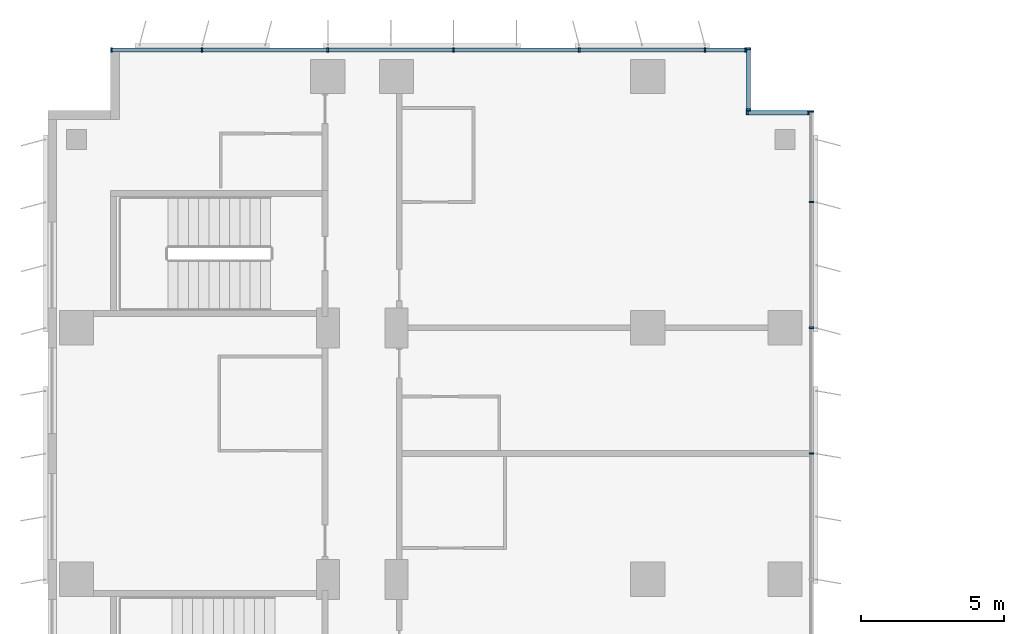
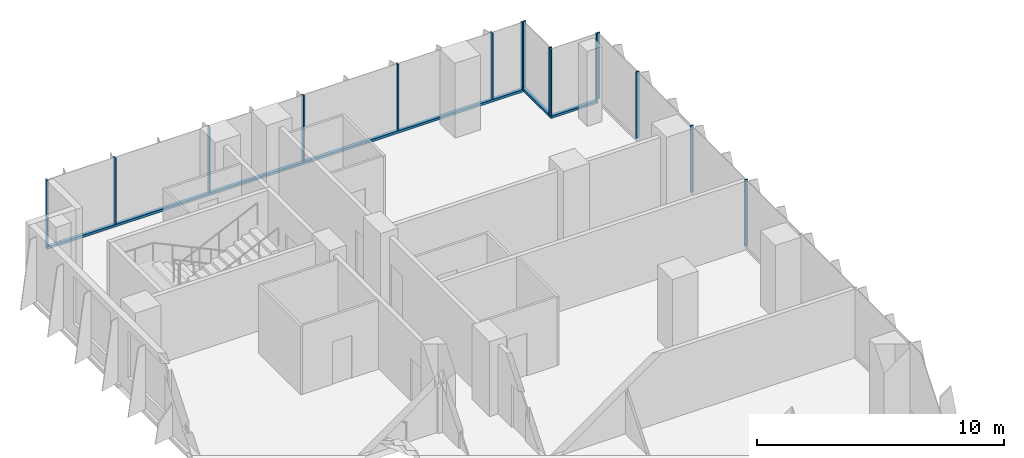
# One storey, part 9 of 22: 18 members, 4 elements without a shape of their own.
"""IFC4 building model written with IfcOpenShell, lengths in metres."""

from ifc_helpers import new_model, si_unit, direction, frame, origin, origin_2d, place, context, subcontext, project, spatial, rectangle, extrude, source, transform, mapped, material, material_profile, profile_set, type_object, element, aggregate, save


model = new_model("IFC4")

# Units and contexts
model_context = context("Model", 3, precision=1e-05, world=origin(), true_north=direction((0.0, 1.0)))
body_context = subcontext(model_context, "Body", "Model", "MODEL_VIEW")
ifc_project = project(units=[si_unit("LENGTHUNIT", "METRE"), si_unit("AREAUNIT", "SQUARE_METRE"), si_unit("VOLUMEUNIT", "CUBIC_METRE"), si_unit("PLANEANGLEUNIT", "RADIAN"), si_unit("MASSUNIT", "GRAM", prefix="KILO")], contexts=[model_context])

# Site, building, storey
site_placement = place(None, origin())
site = spatial("IfcSite", under=ifc_project, at=site_placement, CompositionType="ELEMENT")
building_placement = place(site_placement, origin())
building = spatial("IfcBuilding", under=site, at=building_placement, Name="Kemantara Hotel Tower", CompositionType="ELEMENT")
storey_placement = place(building_placement, frame((0.0, 0.0, 87.10009765625)))
storey = spatial("IfcBuildingStorey", under=building, at=storey_placement, Name="L20", CompositionType="ELEMENT", Elevation=87.10009765625)

# Curtain wall, member
ifc_material_1 = material(Name="Low-E tinted double insulated glass 36 mm", Category="glass")
curtain_wall_type = type_object("IfcCurtainWallType", Name="TOWER CURTAIN WALL, FRONT FACES", PredefinedType="USERDEFINED", material=ifc_material_1)
curtain_wall_1_placement = place(storey_placement, origin())
curtain_wall_1 = element("IfcCurtainWall", 1, at=curtain_wall_1_placement, inside=storey, type_object=curtain_wall_type, Name="CW4 L20 T2-R01-1", ObjectType="TOWER CURTAIN WALL, FRONT FACES", PredefinedType="USERDEFINED")
ifc_material_2 = material(Name="Aluminium 6063-T6 bronze anodised", Category="aluminium")
ifc_material_profile_1 = material_profile(ifc_material_2, rectangle(XDim=0.14990234375, YDim=0.1201171875, at=origin_2d()), Name="TOWER CURTAIN WALL, FRONT FACES TRANSOM")
ifc_profile_set_1 = profile_set([ifc_material_profile_1], Name="Aluminium 6063-T6 bronze anodised")
member_type_1 = type_object("IfcMemberType", Name="TOWER CURTAIN WALL, FRONT FACES TRANSOM", PredefinedType="USERDEFINED", material=ifc_profile_set_1)
member_1_placement = place(storey_placement, frame((24.449951171875, 81.125, 0.059814453125), z_axis=(-1.0, 0.0, 0.0), x_axis=(0.0, -1.0, 0.0)))
member_1 = element("IfcMember", 2, at=member_1_placement, type_object=member_type_1, Name="CW4 sill transom T2-R01-1", ObjectType="TRANSOM", PredefinedType="USERDEFINED", context=body_context, shape_type="SweptSolid", body=[
    extrude(rectangle(XDim=0.14990234375, YDim=0.1201171875, at=origin_2d()), origin(), (0.0, 0.0, 1.0), 22.25),
])

curtain_wall_2_placement = place(storey_placement, origin())
curtain_wall_2 = element("IfcCurtainWall", 3, at=curtain_wall_2_placement, inside=storey, type_object=curtain_wall_type, Name="CW4 L20 T2-R00-1", ObjectType="TOWER CURTAIN WALL, FRONT FACES", PredefinedType="USERDEFINED")
member_2_placement = place(storey_placement, frame((24.52490234375, 79.0, 0.059814453125), z_axis=(0.0, 1.0, 0.0), x_axis=(-1.0, 0.0, 0.0)))
member_2 = element("IfcMember", 4, at=member_2_placement, type_object=member_type_1, Name="CW4 sill transom T2-R00-1", ObjectType="TRANSOM", PredefinedType="USERDEFINED", context=body_context, shape_type="SweptSolid", body=[
    extrude(rectangle(XDim=0.14990234375, YDim=0.1201171875, at=origin_2d()), origin(), (0.0, 0.0, 1.0), 2.199951171875),
])

curtain_wall_3_placement = place(storey_placement, origin())
curtain_wall_3 = element("IfcCurtainWall", 5, at=curtain_wall_3_placement, inside=storey, type_object=curtain_wall_type, Name="CW4 L20 T2-R15-1", ObjectType="TOWER CURTAIN WALL, FRONT FACES", PredefinedType="USERDEFINED")
member_3_placement = place(storey_placement, frame((26.64990234375, 78.925048828125, 0.059814453125), z_axis=(-1.0, 0.0, 0.0), x_axis=(0.0, -1.0, 0.0)))
member_3 = element("IfcMember", 6, at=member_3_placement, type_object=member_type_1, Name="CW4 sill transom T2-R15-1", ObjectType="TRANSOM", PredefinedType="USERDEFINED", context=body_context, shape_type="SweptSolid", body=[
    extrude(rectangle(XDim=0.14990234375, YDim=0.1201171875, at=origin_2d()), origin(), (0.0, 0.0, 1.0), 2.199951171875),
])

# Member
ifc_material_profile_2 = material_profile(ifc_material_2, rectangle(XDim=0.14990234375, YDim=0.06005859375, at=origin_2d()), Name="TOWER CURTAIN WALL, FRONT FACES MULLION")
ifc_profile_set_2 = profile_set([ifc_material_profile_2], Name="Aluminium 6063-T6 bronze anodised")
member_type_2 = type_object("IfcMemberType", Name="TOWER CURTAIN WALL, FRONT FACES MULLION", PredefinedType="MULLION", material=ifc_profile_set_2)
shared_shape = source(origin(), body_context, "Body", "SweptSolid", [
    extrude(rectangle(XDim=0.14990234375, YDim=0.06005859375, at=origin_2d()), origin(), (0.0, 0.0, 1.0), 3.280029296875),
])
member_4_placement = place(storey_placement, frame((24.419921875, 81.125, 0.119873046875), z_axis=(0.0, 0.0, 1.0), x_axis=(0.0, -1.0, 0.0)))
member_4 = element("IfcMember", 7, at=member_4_placement, type_object=member_type_2, Name="CW4 mullion T2-R01-1.1", PredefinedType="MULLION", context=body_context, shape_type="MappedRepresentation", body=[
    mapped(shared_shape, transform((0.0, 0.0, 0.0))),
])

member_5_placement = place(storey_placement, frame((23.0, 81.125, 0.119873046875), z_axis=(0.0, 0.0, 1.0), x_axis=(0.0, -1.0, 0.0)))
member_5 = element("IfcMember", 8, at=member_5_placement, type_object=member_type_2, Name="CW4 mullion T2-R01-1.2", PredefinedType="MULLION", context=body_context, shape_type="MappedRepresentation", body=[
    mapped(shared_shape, transform((0.0, 0.0, 0.0))),
])

member_6_placement = place(storey_placement, frame((18.60009765625, 81.125, 0.119873046875), z_axis=(0.0, 0.0, 1.0), x_axis=(0.0, -1.0, 0.0)))
member_6 = element("IfcMember", 9, at=member_6_placement, type_object=member_type_2, Name="CW4 mullion T2-R01-1.3", PredefinedType="MULLION", context=body_context, shape_type="MappedRepresentation", body=[
    mapped(shared_shape, transform((0.0, 0.0, 0.0))),
])

member_7_placement = place(storey_placement, frame((14.199951171875, 81.125, 0.119873046875), z_axis=(0.0, 0.0, 1.0), x_axis=(0.0, -1.0, 0.0)))
member_7 = element("IfcMember", 10, at=member_7_placement, type_object=member_type_2, Name="CW4 mullion T2-R01-1.4", PredefinedType="MULLION", context=body_context, shape_type="MappedRepresentation", body=[
    mapped(shared_shape, transform((0.0, 0.0, 0.0))),
])

member_8_placement = place(storey_placement, frame((9.800048828125, 81.125, 0.119873046875), z_axis=(0.0, 0.0, 1.0), x_axis=(0.0, -1.0, 0.0)))
member_8 = element("IfcMember", 11, at=member_8_placement, type_object=member_type_2, Name="CW4 mullion T2-R01-1.5", PredefinedType="MULLION", context=body_context, shape_type="MappedRepresentation", body=[
    mapped(shared_shape, transform((0.0, 0.0, 0.0))),
])

member_9_placement = place(storey_placement, frame((5.39990234375, 81.125, 0.119873046875), z_axis=(0.0, 0.0, 1.0), x_axis=(0.0, -1.0, 0.0)))
member_9 = element("IfcMember", 12, at=member_9_placement, type_object=member_type_2, Name="CW4 mullion T2-R01-1.6", PredefinedType="MULLION", context=body_context, shape_type="MappedRepresentation", body=[
    mapped(shared_shape, transform((0.0, 0.0, 0.0))),
])

member_10_placement = place(storey_placement, frame((2.22998046875, 81.125, 0.119873046875), z_axis=(0.0, 0.0, 1.0), x_axis=(0.0, -1.0, 0.0)))
member_10 = element("IfcMember", 13, at=member_10_placement, type_object=member_type_2, Name="CW4 mullion T2-R01-1.7", PredefinedType="MULLION", context=body_context, shape_type="MappedRepresentation", body=[
    mapped(shared_shape, transform((0.0, 0.0, 0.0))),
])

aggregate(curtain_wall_1, [member_1, member_4, member_5, member_6, member_7, member_8, member_9, member_10])

# Curtain wall, members
curtain_wall_4_placement = place(storey_placement, origin())
curtain_wall_4 = element("IfcCurtainWall", 14, at=curtain_wall_4_placement, inside=storey, type_object=curtain_wall_type, Name="CW4 L20 T2-R14-1", ObjectType="TOWER CURTAIN WALL, FRONT FACES", PredefinedType="USERDEFINED")
member_11_placement = place(storey_placement, frame((26.72509765625, 67.0, 0.119873046875), z_axis=(0.0, 0.0, 1.0), x_axis=(-1.0, 0.0, 0.0)))
member_11 = element("IfcMember", 15, at=member_11_placement, type_object=member_type_2, Name="CW4 mullion T2-R14-1.12", PredefinedType="MULLION", context=body_context, shape_type="MappedRepresentation", body=[
    mapped(shared_shape, transform((0.0, 0.0, 0.0))),
])
member_12_placement = place(storey_placement, frame((26.72509765625, 71.39990234375, 0.119873046875), z_axis=(0.0, 0.0, 1.0), x_axis=(-1.0, 0.0, 0.0)))
member_12 = element("IfcMember", 16, at=member_12_placement, type_object=member_type_2, Name="CW4 mullion T2-R14-1.13", PredefinedType="MULLION", context=body_context, shape_type="MappedRepresentation", body=[
    mapped(shared_shape, transform((0.0, 0.0, 0.0))),
])
member_13_placement = place(storey_placement, frame((26.72509765625, 75.800048828125, 0.119873046875), z_axis=(0.0, 0.0, 1.0), x_axis=(-1.0, 0.0, 0.0)))
member_13 = element("IfcMember", 17, at=member_13_placement, type_object=member_type_2, Name="CW4 mullion T2-R14-1.14", PredefinedType="MULLION", context=body_context, shape_type="MappedRepresentation", body=[
    mapped(shared_shape, transform((0.0, 0.0, 0.0))),
])
member_14_placement = place(storey_placement, frame((26.72509765625, 78.969970703125, 0.119873046875), z_axis=(0.0, 0.0, 1.0), x_axis=(-1.0, 0.0, 0.0)))
member_14 = element("IfcMember", 18, at=member_14_placement, type_object=member_type_2, Name="CW4 mullion T2-R14-1.15", PredefinedType="MULLION", context=body_context, shape_type="MappedRepresentation", body=[
    mapped(shared_shape, transform((0.0, 0.0, 0.0))),
])
aggregate(curtain_wall_4, [member_11, member_12, member_13, member_14])

# Member
member_15_placement = place(storey_placement, frame((24.52490234375, 79.030029296875, 0.119873046875), z_axis=(0.0, 0.0, 1.0), x_axis=(-1.0, 0.0, 0.0)))
member_15 = element("IfcMember", 19, at=member_15_placement, type_object=member_type_2, Name="CW4 mullion T2-R00-1.1", PredefinedType="MULLION", context=body_context, shape_type="MappedRepresentation", body=[
    mapped(shared_shape, transform((0.0, 0.0, 0.0))),
])

member_16_placement = place(storey_placement, frame((24.52490234375, 81.169921875, 0.119873046875), z_axis=(0.0, 0.0, 1.0), x_axis=(-1.0, 0.0, 0.0)))
member_16 = element("IfcMember", 20, at=member_16_placement, type_object=member_type_2, Name="CW4 mullion T2-R00-1.2", PredefinedType="MULLION", context=body_context, shape_type="MappedRepresentation", body=[
    mapped(shared_shape, transform((0.0, 0.0, 0.0))),
])

aggregate(curtain_wall_2, [member_2, member_15, member_16])

member_17_placement = place(storey_placement, frame((26.6201171875, 78.925048828125, 0.119873046875), z_axis=(0.0, 0.0, 1.0), x_axis=(0.0, -1.0, 0.0)))
member_17 = element("IfcMember", 21, at=member_17_placement, type_object=member_type_2, Name="CW4 mullion T2-R15-1.1", PredefinedType="MULLION", context=body_context, shape_type="MappedRepresentation", body=[
    mapped(shared_shape, transform((0.0, 0.0, 0.0))),
])

member_18_placement = place(storey_placement, frame((24.47998046875, 78.925048828125, 0.119873046875), z_axis=(0.0, 0.0, 1.0), x_axis=(0.0, -1.0, 0.0)))
member_18 = element("IfcMember", 22, at=member_18_placement, type_object=member_type_2, Name="CW4 mullion T2-R15-1.2", PredefinedType="MULLION", context=body_context, shape_type="MappedRepresentation", body=[
    mapped(shared_shape, transform((0.0, 0.0, 0.0))),
])

aggregate(curtain_wall_3, [member_3, member_17, member_18])

save(model, "model.ifc")
